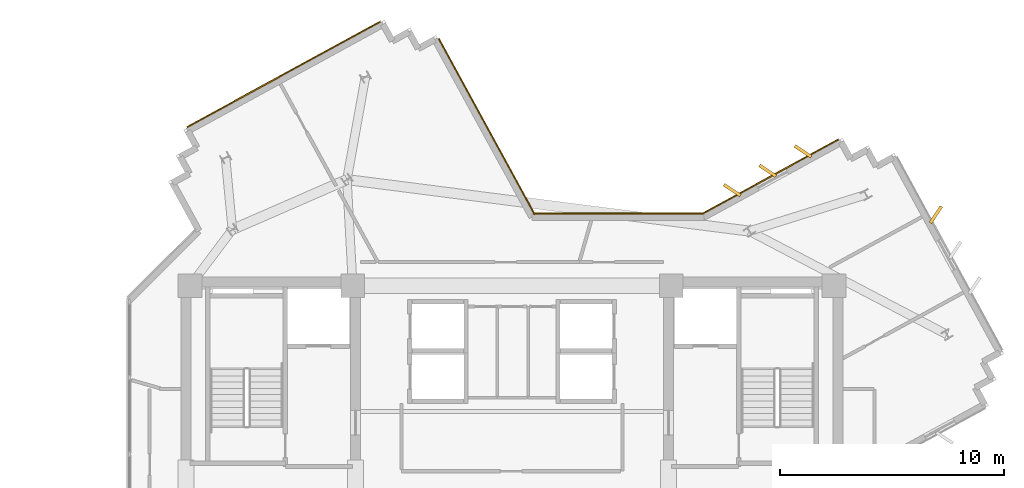
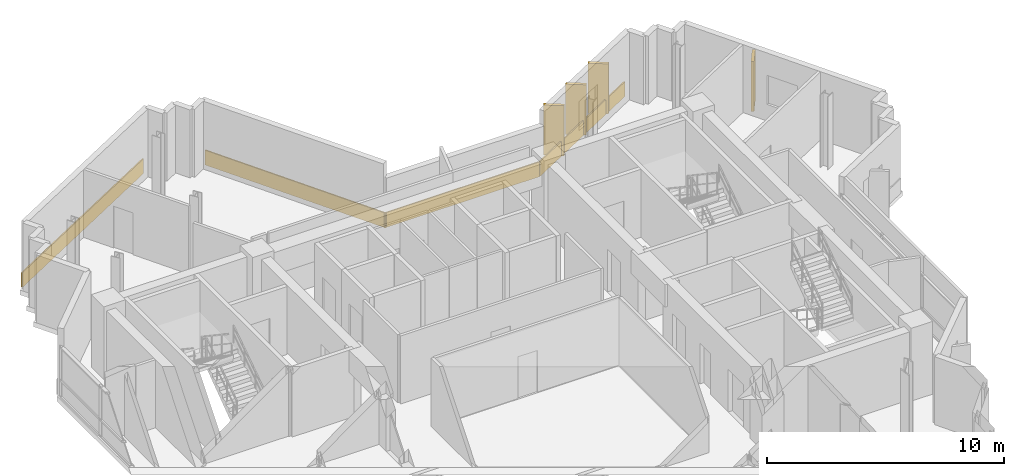
# One storey, part 13 of 13: 8 coverings.
"""IFC4 building model written with IfcOpenShell, lengths in metres."""

from ifc_helpers import new_model, si_unit, direction, frame, origin, origin_2d, place, context, subcontext, project, spatial, rectangle, extrude, source, transform, mapped, material, layer, layer_set, type_object, element, save


model = new_model("IFC4")

# Units and contexts
model_context = context("Model", 3, precision=1e-05, world=origin(), true_north=direction((0.0, 1.0)))
body_context = subcontext(model_context, "Body", "Model", "MODEL_VIEW")
ifc_project = project(units=[si_unit("LENGTHUNIT", "METRE"), si_unit("AREAUNIT", "SQUARE_METRE"), si_unit("VOLUMEUNIT", "CUBIC_METRE"), si_unit("PLANEANGLEUNIT", "RADIAN"), si_unit("MASSUNIT", "GRAM", prefix="KILO")], contexts=[model_context])

# Site, building, storey
site_placement = place(None, origin())
site = spatial("IfcSite", under=ifc_project, at=site_placement, CompositionType="ELEMENT")
building_placement = place(site_placement, origin())
building = spatial("IfcBuilding", under=site, at=building_placement, Name="Zahravan Cultural Tower", CompositionType="ELEMENT")
storey_placement = place(building_placement, frame((0.0, 0.0, 250.35009765625)))
storey = spatial("IfcBuildingStorey", under=building, at=storey_placement, Name="L59", CompositionType="ELEMENT", Elevation=250.35009765625)

# Coverings
ifc_material = material(Name="Terracotta ceramic cladding", Category="masonry")
ifc_layer = layer(ifc_material, 0.06005859375)
ifc_layer_set = layer_set([ifc_layer], Name="Terracotta ceramic cladding")
covering_type = type_object("IfcCoveringType", Name="COV-CLAD-TC60", PredefinedType="CLADDING", material=ifc_layer_set)
shared_shape_1 = source(origin(), body_context, "Body", "SweptSolid", [
    extrude(rectangle(XDim=9.820068359375, YDim=0.06005859375, at=origin_2d()), origin(), (0.0, 0.0, 1.0), 0.760009765625),
])
covering_1_placement = place(storey_placement, frame((25.823486328125, 45.626220703125, 0.02001953125), z_axis=(0.0, 0.0, 1.0), x_axis=(0.877564903719, 0.479457860256, 0.0)))
element("IfcCovering", 1, at=covering_1_placement, inside=storey, type_object=covering_type, Name="L59 Terracotta Spandrel Cladding 42", PredefinedType="CLADDING", context=body_context, shape_type="MappedRepresentation", body=[
    mapped(shared_shape_1, transform((0.0, 0.0, 0.0), x_axis=(1.0, 0.0, 0.0), y_axis=(0.0, 1.0, 0.0), z_axis=(0.0, 0.0, 1.0), scale=1.0)),
])
shared_shape_2 = source(origin(), body_context, "Body", "SweptSolid", [
    extrude(rectangle(XDim=0.8798828125, YDim=0.139892578125, at=origin_2d()), origin(), (0.0, 0.0, 1.0), 2.580078125),
])
for number, where, z_axis, x_axis, name in (
    (2, (45.81640625, 40.465087890625, 0.0498046875), (0.0, 0.0, 1.0), (-0.835327930385, 0.549751988372, 0.0), "L59 Herringbone Terracotta Fin 01"),
    (3, (47.39599609375, 41.328125, 0.0498046875), (0.0, 0.0, 1.0), (-0.835327930385, 0.549751988372, 0.0), "L59 Herringbone Terracotta Fin 02"),
    (4, (48.9755859375, 42.191162109375, 0.0498046875), (0.0, 0.0, 1.0), (-0.835327930385, 0.549751988372, 0.0), "L59 Herringbone Terracotta Fin 03"),
    (5, (54.89111328125, 39.372314453125, 0.0498046875), (0.0, 0.0, 1.0), (0.549751988372, 0.835327930385, 0.0), "L59 Herringbone Terracotta Fin 04"),
):
    element("IfcCovering", number, at=place(storey_placement, frame(where, z_axis=z_axis, x_axis=x_axis)), inside=storey, type_object=covering_type, Name=name, PredefinedType="CLADDING", context=body_context, shape_type="MappedRepresentation", body=[
        mapped(shared_shape_2, transform((0.0, 0.0, 0.0), x_axis=(1.0, 0.0, 0.0), y_axis=(0.0, 1.0, 0.0), z_axis=(0.0, 0.0, 1.0), scale=1.0)),
    ])
shared_shape_3 = source(origin(), body_context, "Body", "SweptSolid", [
    extrude(rectangle(XDim=6.87939453125, YDim=0.06005859375, at=origin_2d()), origin(), (0.0, 0.0, 1.0), 0.760009765625),
])
covering_2_placement = place(storey_placement, frame((47.532470703125, 41.077880859375, 0.02001953125), z_axis=(0.0, 0.0, 1.0), x_axis=(0.877564903719, 0.479457860256, 0.0)))
element("IfcCovering", 6, at=covering_2_placement, inside=storey, type_object=covering_type, Name="L59 Terracotta Spandrel Cladding 01", PredefinedType="CLADDING", context=body_context, shape_type="MappedRepresentation", body=[
    mapped(shared_shape_3, transform((0.0, 0.0, 0.0), x_axis=(1.0, 0.0, 0.0), y_axis=(0.0, 1.0, 0.0), z_axis=(0.0, 0.0, 1.0), scale=1.0)),
])
shared_shape_4 = source(origin(), body_context, "Body", "SweptSolid", [
    extrude(rectangle(XDim=8.92822265625, YDim=0.06005859375, at=origin_2d()), origin(), (0.0, 0.0, 1.0), 0.760009765625),
])
covering_3_placement = place(storey_placement, frame((34.871337890625, 43.300537109375, 0.02001953125), z_axis=(0.0, 0.0, 1.0), x_axis=(0.479457860256, -0.877564903719, 0.0)))
element("IfcCovering", 7, at=covering_3_placement, inside=storey, type_object=covering_type, Name="L59 Terracotta Spandrel Cladding 47", PredefinedType="CLADDING", context=body_context, shape_type="MappedRepresentation", body=[
    mapped(shared_shape_4, transform((0.0, 0.0, 0.0), x_axis=(1.0, 0.0, 0.0), y_axis=(0.0, 1.0, 0.0), z_axis=(0.0, 0.0, 1.0), scale=1.0)),
])
shared_shape_5 = source(origin(), body_context, "Body", "SweptSolid", [
    extrude(rectangle(XDim=7.55810546875, YDim=0.06005859375, at=origin_2d()), origin(), (0.0, 0.0, 1.0), 0.760009765625),
])
covering_4_placement = place(storey_placement, frame((40.72021484375, 39.425048828125, 0.02001953125), z_axis=(0.0, 0.0, 1.0), x_axis=(1.0, 0.0, 0.0)))
element("IfcCovering", 8, at=covering_4_placement, inside=storey, type_object=covering_type, Name="L59 Terracotta Spandrel Cladding 48", PredefinedType="CLADDING", context=body_context, shape_type="MappedRepresentation", body=[
    mapped(shared_shape_5, transform((0.0, 0.0, 0.0), x_axis=(1.0, 0.0, 0.0), y_axis=(0.0, 1.0, 0.0), z_axis=(0.0, 0.0, 1.0), scale=1.0)),
])

save(model, "model.ifc")
